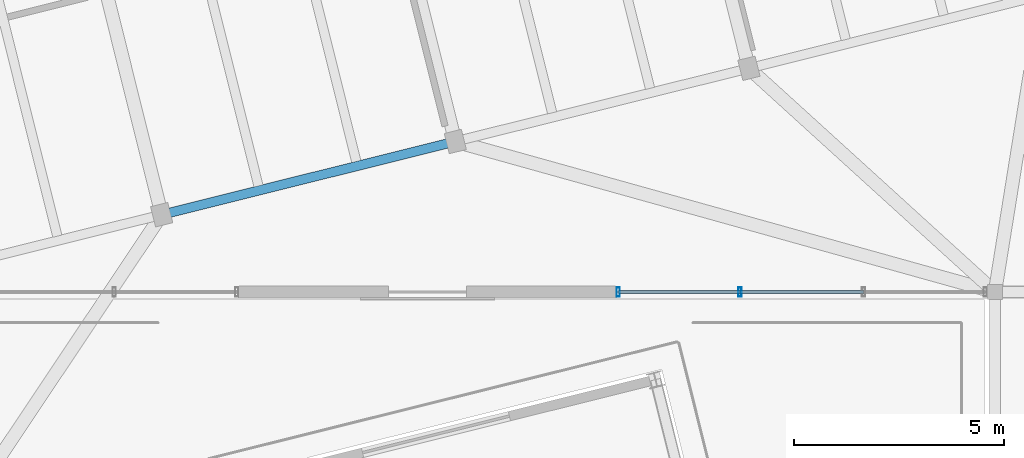
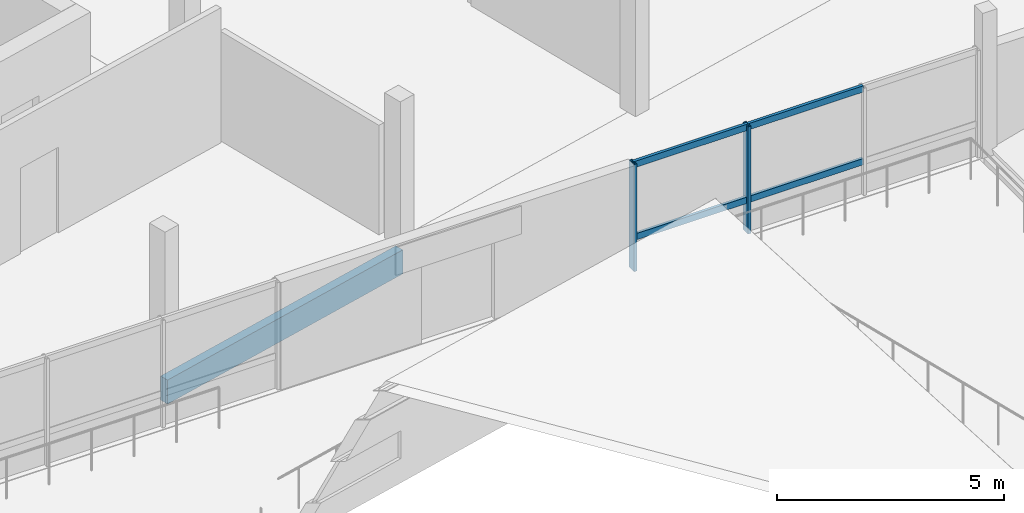
# One storey, part 11 of 39: 6 members, 1 beam, 1 element without a shape of its own.
"""IFC4 building model written with IfcOpenShell, lengths in metres."""

import ifcopenshell
import ifcopenshell.guid

model = None  # the IFC model being written
_history = None  # IfcOwnerHistory: only IFC2X3 demands one
_inside = {}  # id of a spatial element -> (the spatial element, [elements in it])
_under = {}  # id of a project, library or spatial element -> (it, [spatial elements below it])
_declared = {}  # id of a project -> (the project, [libraries it declares])
_typed = {}  # id of a type object -> (the type object, [elements of that type])
_made_of = {}  # id of a material, layer set ... -> (it, [elements and type objects made of it])


def new_model(schema):
    """Start an empty IFC model of exactly this schema.

    Asked for "IFC4X3", IfcOpenShell would pick the latest addendum, in which some entities
    have other attributes; the version numbers below select the first issue.
    IFC2X3 requires an IfcOwnerHistory on every rooted entity: one is made here for all.
    """
    global model, _history
    if schema == "IFC4X3":
        model = ifcopenshell.file(schema_version=(4, 3, 0, 0))
    else:
        model = ifcopenshell.file(schema=schema)
    _inside.clear()
    _under.clear()
    _declared.clear()
    _typed.clear()
    _made_of.clear()
    _history = None
    if model.schema == "IFC2X3":
        org = make("IfcOrganization", Name="unknown")
        user = make(
            "IfcPersonAndOrganization",
            ThePerson=make("IfcPerson", FamilyName="unknown"),
            TheOrganization=org,
        )
        app = make(
            "IfcApplication",
            ApplicationDeveloper=org,
            Version="unknown",
            ApplicationFullName="unknown",
            ApplicationIdentifier="unknown",
        )
        _history = make(
            "IfcOwnerHistory",
            OwningUser=user,
            OwningApplication=app,
            ChangeAction="ADDED",
            CreationDate=0,
        )
    return model


def make(cls, **values):
    """One entity of the class cls with the attributes given. An attribute that is None is left unset."""
    return model.create_entity(
        cls, **{name: value for name, value in values.items() if value is not None}
    )


def rooted(cls, **values):
    """An entity with a GlobalId (a new one), such as an element, a storey or a relation."""
    return make(cls, GlobalId=ifcopenshell.guid.new(), OwnerHistory=_history, **values)


def si_unit(unit_type, name, prefix=None):
    """IfcSIUnit, for example si_unit("LENGTHUNIT", "METRE", prefix="MILLI")."""
    return make("IfcSIUnit", UnitType=unit_type, Prefix=prefix, Name=name)


def assignment(units):
    """IfcUnitAssignment: the units of a project."""
    return None if units is None else make("IfcUnitAssignment", Units=units)


def point(xyz):
    """IfcCartesianPoint."""
    return None if xyz is None else make("IfcCartesianPoint", Coordinates=xyz)


def direction(xyz):
    """IfcDirection."""
    return None if xyz is None else make("IfcDirection", DirectionRatios=xyz)


def frame(location, z_axis=None, x_axis=None):
    """IfcAxis2Placement3D, a coordinate frame: its origin and axes. An axis left out is left unset."""
    return make(
        "IfcAxis2Placement3D",
        Location=point(location),
        Axis=direction(z_axis),
        RefDirection=direction(x_axis),
    )


def frame_2d(location, x_axis=None):
    """IfcAxis2Placement2D, a coordinate frame in the plane: its origin and x axis."""
    return make(
        "IfcAxis2Placement2D", Location=point(location), RefDirection=direction(x_axis)
    )


def origin():
    """The frame at (0, 0, 0) with its axes left unset."""
    return frame((0.0, 0.0, 0.0))


def origin_2d():
    """The frame at (0, 0) in the plane with its x axis left unset."""
    return frame_2d((0.0, 0.0))


def place(relative_to, where):
    """IfcLocalPlacement: puts the frame where relative to a parent placement (None: the world)."""
    return make(
        "IfcLocalPlacement", PlacementRelTo=relative_to, RelativePlacement=where
    )


def context(
    kind, dimensions, precision=None, world=None, true_north=None, identifier=None
):
    """IfcGeometricRepresentationContext, for example the 3D "Model" context."""
    return make(
        "IfcGeometricRepresentationContext",
        ContextIdentifier=identifier,
        ContextType=kind,
        CoordinateSpaceDimension=dimensions,
        Precision=precision,
        WorldCoordinateSystem=world,
        TrueNorth=true_north,
    )


def subcontext(parent, identifier, kind, view, scale=None):
    """IfcGeometricRepresentationSubContext, for example "Body" below "Model"."""
    return make(
        "IfcGeometricRepresentationSubContext",
        ContextIdentifier=identifier,
        ContextType=kind,
        ParentContext=parent,
        TargetScale=scale,
        TargetView=view,
    )


def project(units=None, contexts=None):
    """IfcProject with its units and contexts."""
    return rooted(
        "IfcProject",
        Name="project",
        RepresentationContexts=contexts,
        UnitsInContext=assignment(units),
    )


def spatial(cls, under=None, at=None, **own):
    """A site, building, storey or space (cls), placed at a placement, below another one or the project."""
    s = rooted(cls, ObjectPlacement=at, **own)
    if under is not None:
        _under.setdefault(under.id(), (under, []))[1].append(s)
    return s


def profile(cls, at=None, kind="AREA", **sizes):
    """A parametric profile (cls). Its sizes go by their IFC names, for example OverallWidth=200.0."""
    return make(cls, ProfileType=kind, Position=at, **sizes)


def rectangle(**sizes):
    """IfcRectangleProfileDef."""
    return profile("IfcRectangleProfileDef", **sizes)


def hollow_rectangle(**sizes):
    """IfcRectangleHollowProfileDef."""
    return profile("IfcRectangleHollowProfileDef", **sizes)


def extrude(swept, where, along, depth):
    """IfcExtrudedAreaSolid: the profile swept, set in the frame where, extruded along a direction by depth."""
    return make(
        "IfcExtrudedAreaSolid",
        SweptArea=swept,
        Position=where,
        ExtrudedDirection=direction(along),
        Depth=depth,
    )


def shape(context_of_items, identifier, shape_type, items):
    """IfcShapeRepresentation: the items that make up one representation, for example the "Body"."""
    return make(
        "IfcShapeRepresentation",
        ContextOfItems=context_of_items,
        RepresentationIdentifier=identifier,
        RepresentationType=shape_type,
        Items=items,
    )


def material(Name=None, Category=None):
    """IfcMaterial."""
    return make("IfcMaterial", Name=Name, Category=Category)


def layer(
    of_material, thickness, ventilated=None, Name=None, Category=None, Priority=None
):
    """IfcMaterialLayer: one layer of a wall or slab, of a material (None: an air gap)."""
    return make(
        "IfcMaterialLayer",
        Material=of_material,
        LayerThickness=thickness,
        IsVentilated=ventilated,
        Name=Name,
        Category=Category,
        Priority=Priority,
    )


def layer_set(layers, Name=None):
    """IfcMaterialLayerSet."""
    return make("IfcMaterialLayerSet", MaterialLayers=layers, LayerSetName=Name)


def material_profile(
    of_material, cross_section, Name=None, Category=None, Priority=None
):
    """IfcMaterialProfile: a cross section and its material."""
    return make(
        "IfcMaterialProfile",
        Name=Name,
        Material=of_material,
        Profile=cross_section,
        Priority=Priority,
        Category=Category,
    )


def profile_set(profiles, Name=None, composite=None):
    """IfcMaterialProfileSet."""
    return make(
        "IfcMaterialProfileSet",
        Name=Name,
        MaterialProfiles=profiles,
        CompositeProfile=composite,
    )


def made_of(thing, what):
    """Note that an element or type object is made of a material, layer set ...; save() writes the relation."""
    if what is not None:
        _made_of.setdefault(what.id(), (what, []))[1].append(thing)
    return thing


def type_object(cls, material=None, **own):
    """A type object (cls), such as IfcWallType, which elements share."""
    return made_of(rooted(cls, **own), material)


def element(
    cls,
    number,
    at=None,
    inside=None,
    cuts=None,
    type_object=None,
    material=None,
    context=None,
    identifier="Body",
    shape_type=None,
    held_by="IfcProductDefinitionShape",
    body=None,
    shapes=None,
    **own,
):
    """One element of the class cls, such as IfcWall. Its Tag is "e" and its number.

    at: its placement. inside: the storey or other place that contains it. cuts: it is an
    opening in that element (IfcRelVoidsElement). A single representation is given by context,
    identifier, shape_type and body (its items); several are given by shapes. held_by: the class
    of the entity that holds the representations. save() writes the other relations.
    """
    e = rooted(cls, Tag="e%d" % number, ObjectPlacement=at, **own)
    if body is not None:
        shapes = [shape(context, identifier, shape_type, body)]
    if shapes is not None:
        e.Representation = make(held_by, Representations=shapes)
    if inside is not None:
        _inside.setdefault(inside.id(), (inside, []))[1].append(e)
    if cuts is not None:
        rooted(
            "IfcRelVoidsElement", RelatingBuildingElement=cuts, RelatedOpeningElement=e
        )
    if type_object is not None:
        _typed.setdefault(type_object.id(), (type_object, []))[1].append(e)
    return made_of(e, material)


def aggregate(whole, parts):
    """IfcRelAggregates: a whole, such as a stair, and the parts it consists of."""
    return rooted("IfcRelAggregates", RelatingObject=whole, RelatedObjects=parts)


def save(model, path):
    """Write the relations noted so far, then the file.

    IfcRelAggregates (storeys below a building ...), IfcRelContainedInSpatialStructure (elements
    in a storey), IfcRelDefinesByType, IfcRelAssociatesMaterial and IfcRelDeclares: one each for
    every whole, place, type object, material and project.
    """
    for whole, parts in _under.values():
        aggregate(whole, parts)
    for where, things in _inside.values():
        rooted(
            "IfcRelContainedInSpatialStructure",
            RelatedElements=things,
            RelatingStructure=where,
        )
    for kind, things in _typed.values():
        rooted("IfcRelDefinesByType", RelatedObjects=things, RelatingType=kind)
    for what, things in _made_of.values():
        rooted("IfcRelAssociatesMaterial", RelatedObjects=things, RelatingMaterial=what)
    for by, libraries in _declared.values():
        rooted("IfcRelDeclares", RelatingContext=by, RelatedDefinitions=libraries)
    model.write(path)


model = new_model("IFC4")

# Units and contexts
model_context = context("Model", 3, precision=1e-05, world=origin(), true_north=direction((0.0, 1.0)))
body_context = subcontext(model_context, "Body", "Model", "MODEL_VIEW")
ifc_project = project(units=[si_unit("LENGTHUNIT", "METRE"), si_unit("AREAUNIT", "SQUARE_METRE"), si_unit("VOLUMEUNIT", "CUBIC_METRE"), si_unit("PLANEANGLEUNIT", "RADIAN"), si_unit("MASSUNIT", "GRAM", prefix="KILO")], contexts=[model_context])

# Site, building, storey
site_placement = place(None, origin())
site = spatial("IfcSite", under=ifc_project, at=site_placement, CompositionType="ELEMENT")
building_placement = place(site_placement, origin())
building = spatial("IfcBuilding", under=site, at=building_placement, Name="Meriwether Solvik Hall", CompositionType="ELEMENT")
storey_placement = place(building_placement, frame((0.0, 0.0, 22.199951171875)))
storey = spatial("IfcBuildingStorey", under=building, at=storey_placement, Name="L05", CompositionType="ELEMENT", Elevation=22.199951171875)

# Beam
ifc_material_1 = material(Name="Glulam Douglas-Fir 24F-V8 GL28h", Category="wood")
ifc_material_profile_1 = material_profile(ifc_material_1, rectangle(XDim=0.221923828125, YDim=0.64501953125, at=origin_2d()), Name="GLB-222X645")
ifc_profile_set_1 = profile_set([ifc_material_profile_1], Name="Glulam Douglas-Fir 24F-V8 GL28h")
beam_type = type_object("IfcBeamType", Name="BM-GL-222X645", PredefinedType="SPANDREL", material=ifc_profile_set_1)
beam_placement = place(storey_placement, frame((75.974365234375, 43.03857421875, -0.5673828125), z_axis=(0.970291911955, 0.241937193493, 0.0), x_axis=(-0.241937193493, 0.970291911955, 0.0)))
element("IfcBeam", 1, at=beam_placement, inside=storey, type_object=beam_type, Name="Tower Girder TA:T2-T3 (L05)", PredefinedType="SPANDREL", context=body_context, shape_type="SweptSolid", body=[
    extrude(rectangle(XDim=0.221923828125, YDim=0.64501953125, at=origin_2d()), origin(), (0.0, 0.0, 1.0), 7.199951171875),
])

# Curtain wall, members
ifc_material_2 = material(Name="Thermally Broken Anodised Aluminium 6063-T6 and Low-E Glass", Category="aluminium")
ifc_layer = layer(ifc_material_2, 0.179931640625)
ifc_layer_set = layer_set([ifc_layer], Name="Thermally Broken Anodised Aluminium 6063-T6 and Low-E Glass")
curtain_wall_type = type_object("IfcCurtainWallType", Name="CW-UNIT-E", PredefinedType="USERDEFINED", material=ifc_layer_set)
curtain_wall_placement = place(storey_placement, origin())
curtain_wall = element("IfcCurtainWall", 2, at=curtain_wall_placement, inside=storey, type_object=curtain_wall_type, Name="Curtain Wall wing_XE_10_3 (L05)", ObjectType="UNITISED CURTAIN WALL", PredefinedType="USERDEFINED")
ifc_material_3 = material(Name="Anodised Aluminium 6063-T6", Category="aluminium")
ifc_material_profile_2 = material_profile(ifc_material_3, hollow_rectangle(XDim=0.074951171875, YDim=0.219970703125, WallThickness=0.005615234375, at=origin_2d()), Name="CWM-75X220")
ifc_profile_set_2 = profile_set([ifc_material_profile_2], Name="Anodised Aluminium 6063-T6")
member_type_1 = type_object("IfcMemberType", Name="CW-MUL-75X220", PredefinedType="MULLION", material=ifc_profile_set_2)
member_1_placement = place(storey_placement, frame((89.735107421875, 41.199951171875, 0.0), z_axis=(0.0, 0.0, 1.0), x_axis=(-1.0, 0.0, 0.0)))
member_1 = element("IfcMember", 3, at=member_1_placement, type_object=member_type_1, Name="Curtain Wall Mullion 3", PredefinedType="MULLION", context=body_context, shape_type="SweptSolid", body=[
    extrude(hollow_rectangle(XDim=0.074951171875, YDim=0.219970703125, WallThickness=0.005615234375, at=origin_2d()), origin(), (0.0, 0.0, 1.0), 2.880126953125),
])
member_2_placement = place(storey_placement, frame((86.837890625, 41.199951171875, 0.0), z_axis=(0.0, 0.0, 1.0), x_axis=(-1.0, 0.0, 0.0)))
member_2 = element("IfcMember", 4, at=member_2_placement, type_object=member_type_1, Name="Curtain Wall Mullion 4", PredefinedType="MULLION", context=body_context, shape_type="SweptSolid", body=[
    extrude(hollow_rectangle(XDim=0.074951171875, YDim=0.219970703125, WallThickness=0.005615234375, at=origin_2d()), origin(), (0.0, 0.0, 1.0), 2.880126953125),
])
ifc_material_4 = material(Name="Anodised Aluminium 6063-T6", Category="aluminium")
ifc_material_profile_3 = material_profile(ifc_material_4, hollow_rectangle(XDim=0.074951171875, YDim=0.169921875, WallThickness=0.005615234375, at=origin_2d()), Name="CWT-75X170")
ifc_profile_set_3 = profile_set([ifc_material_profile_3], Name="Anodised Aluminium 6063-T6")
member_type_2 = type_object("IfcMemberType", Name="CW-TRN-75X170", PredefinedType="USERDEFINED", material=ifc_profile_set_3)
member_3_placement = place(storey_placement, frame((92.67041015625, 41.199951171875, 0.864013671875), z_axis=(-1.0, 0.0, 0.0), x_axis=(0.0, -1.0, 0.0)))
member_3 = element("IfcMember", 5, at=member_3_placement, type_object=member_type_2, Name="Curtain Wall Transom 2-sill", ObjectType="TRANSOM", PredefinedType="USERDEFINED", context=body_context, shape_type="SweptSolid", body=[
    extrude(hollow_rectangle(XDim=0.074951171875, YDim=0.169921875, WallThickness=0.005615234375, at=origin_2d()), origin(), (0.0, 0.0, 1.0), 2.935302734375),
])
member_4_placement = place(storey_placement, frame((92.67041015625, 41.199951171875, 2.820068359375), z_axis=(-1.0, 0.0, 0.0), x_axis=(0.0, -1.0, 0.0)))
member_4 = element("IfcMember", 6, at=member_4_placement, type_object=member_type_2, Name="Curtain Wall Transom 2-head", ObjectType="TRANSOM", PredefinedType="USERDEFINED", context=body_context, shape_type="SweptSolid", body=[
    extrude(hollow_rectangle(XDim=0.074951171875, YDim=0.169921875, WallThickness=0.005615234375, at=origin_2d()), origin(), (0.0, 0.0, 1.0), 2.935302734375),
])
member_5_placement = place(storey_placement, frame((89.735107421875, 41.199951171875, 0.864013671875), z_axis=(-1.0, 0.0, 0.0), x_axis=(0.0, -1.0, 0.0)))
member_5 = element("IfcMember", 7, at=member_5_placement, type_object=member_type_2, Name="Curtain Wall Transom 3-sill", ObjectType="TRANSOM", PredefinedType="USERDEFINED", context=body_context, shape_type="SweptSolid", body=[
    extrude(hollow_rectangle(XDim=0.074951171875, YDim=0.169921875, WallThickness=0.005615234375, at=origin_2d()), origin(), (0.0, 0.0, 1.0), 2.897216796875),
])
member_6_placement = place(storey_placement, frame((89.735107421875, 41.199951171875, 2.820068359375), z_axis=(-1.0, 0.0, 0.0), x_axis=(0.0, -1.0, 0.0)))
member_6 = element("IfcMember", 8, at=member_6_placement, type_object=member_type_2, Name="Curtain Wall Transom 3-head", ObjectType="TRANSOM", PredefinedType="USERDEFINED", context=body_context, shape_type="SweptSolid", body=[
    extrude(hollow_rectangle(XDim=0.074951171875, YDim=0.169921875, WallThickness=0.005615234375, at=origin_2d()), origin(), (0.0, 0.0, 1.0), 2.897216796875),
])
aggregate(curtain_wall, [member_1, member_2, member_3, member_4, member_5, member_6])

save(model, "model.ifc")
